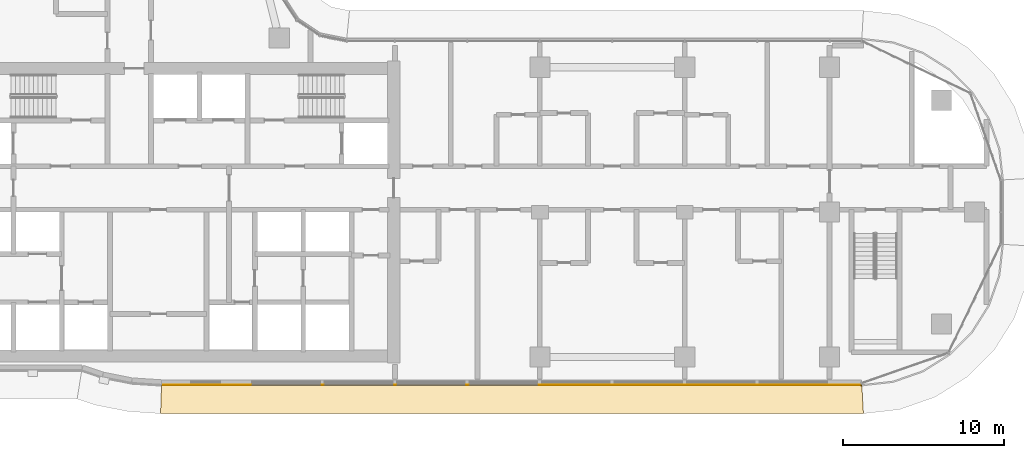
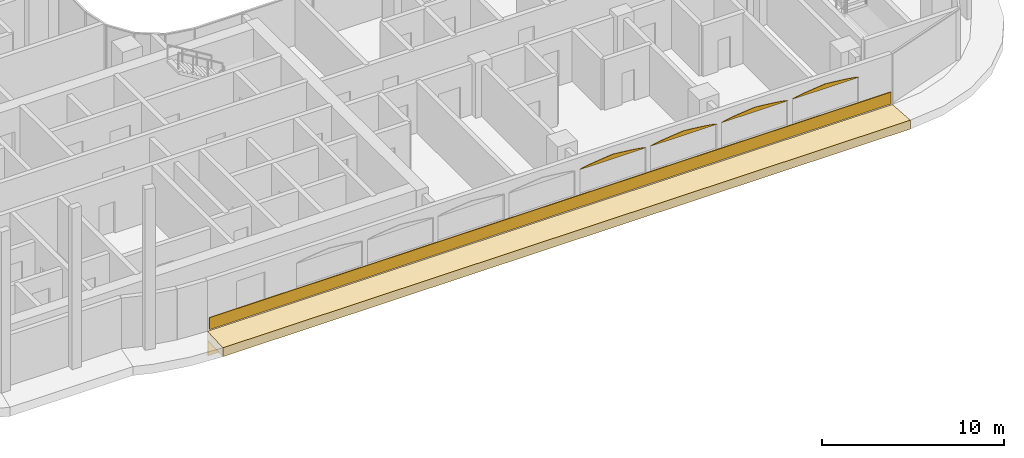
# One storey, part 21 of 25: 7 coverings.
"""IFC4 building model written with IfcOpenShell, lengths in metres."""

from ifc_helpers import new_model, si_unit, direction, frame, origin, origin_2d, place, context, subcontext, project, spatial, polyline, rectangle, outline, extrude, material, layer, layer_set, type_object, element, save


model = new_model("IFC4")

# Units and contexts
model_context = context("Model", 3, precision=1e-05, world=origin(), true_north=direction((0.0, 1.0)))
body_context = subcontext(model_context, "Body", "Model", "MODEL_VIEW")
ifc_project = project(units=[si_unit("LENGTHUNIT", "METRE"), si_unit("AREAUNIT", "SQUARE_METRE"), si_unit("VOLUMEUNIT", "CUBIC_METRE"), si_unit("PLANEANGLEUNIT", "RADIAN"), si_unit("MASSUNIT", "GRAM", prefix="KILO")], contexts=[model_context])

# Site, building, storey
site_placement = place(None, origin())
site = spatial("IfcSite", under=ifc_project, at=site_placement, CompositionType="ELEMENT")
building_placement = place(site_placement, origin())
building = spatial("IfcBuilding", under=site, at=building_placement, Name="Ogive Portal Towers", CompositionType="ELEMENT")
storey_placement = place(building_placement, frame((0.0, 0.0, 124.10009765625)))
storey = spatial("IfcBuildingStorey", under=building, at=storey_placement, Name="L30", CompositionType="ELEMENT", Elevation=124.10009765625)

# Coverings
ifc_material = material(Name="Limestone cladding on lightweight block wall", Category="masonry")
ifc_layer_1 = layer(ifc_material, 0.0400390625)
ifc_layer_set_1 = layer_set([ifc_layer_1], Name="LANCET HEAD STONE")
covering_type_1 = type_object("IfcCoveringType", Name="LANCET HEAD STONE", PredefinedType="CLADDING", material=ifc_layer_set_1)
for number, where, z_axis, x_axis, name in (
    (1, (67.64990234375, 19.784912109375, 2.599853515625), (0.0, 0.999955602034, 0.009423054701), (1.0, 0.0, 0.0), "Lancet head"),
    (2, (72.14990234375, 19.784912109375, 2.599853515625), (0.0, 0.999955602034, 0.009423054701), (1.0, 0.0, 0.0), "Lancet head"),
    (3, (76.64990234375, 19.784912109375, 2.599853515625), (0.0, 0.999955602034, 0.009423054701), (1.0, 0.0, 0.0), "Lancet head"),
    (4, (81.14990234375, 19.784912109375, 2.599853515625), (0.0, 0.999955602034, 0.009423054701), (1.0, 0.0, 0.0), "Lancet head"),
):
    element("IfcCovering", number, at=place(storey_placement, frame(where, z_axis=z_axis, x_axis=x_axis)), inside=storey, type_object=covering_type_1, Name=name, PredefinedType="CLADDING", context=body_context, shape_type="SweptSolid", body=[
        extrude(outline(polyline([(0.0, 0.0), (4.2001953125, 0.0), (4.107177734375, -0.037598287541017614), (3.9375, -0.07495474584684635), (3.7177734375, -0.11255303338786396), (3.45751953125, -0.15015362147934563), (3.162353515625, -0.1875077792347103), (2.836181640625, -0.22510836732619197), (2.481201171875, -0.2624625250815566), (2.10009765625, -0.30006311317303835), (1.718994140625, -0.2624625250815566), (1.364013671875, -0.22510836732619197), (1.037841796875, -0.1875077792347103), (0.74267578125, -0.15015362147934563), (0.482421875, -0.11255303338786396), (0.2626953125, -0.07495474584684635), (0.093017578125, -0.037598287541017614), (0.0, 0.0)])), origin(), (0.0, 0.0, -1.0), 0.0400390625),
    ])
ifc_layer_2 = layer(ifc_material, 0.050048828125)
ifc_layer_set_2 = layer_set([ifc_layer_2], Name="SCREEN PERFORATED STONE")
covering_type_2 = type_object("IfcCoveringType", Name="SCREEN PERFORATED STONE", PredefinedType="CLADDING", material=ifc_layer_set_2)
covering_1_placement = place(storey_placement, frame((65.748046875, 19.760009765625, 0.10009765625), z_axis=(0.0, 0.0, 1.0), x_axis=(1.0, 0.0, 0.0)))
element("IfcCovering", 5, at=covering_1_placement, inside=storey, type_object=covering_type_2, Name="Tracery screen", PredefinedType="CLADDING", context=body_context, shape_type="SweptSolid", body=[
    extrude(rectangle(XDim=43.276611328125, YDim=0.050048828125, at=origin_2d()), origin(), (0.0, 0.0, 1.0), 0.800048828125),
])
ifc_layer_3 = layer(ifc_material, 0.080078125)
ifc_layer_set_3 = layer_set([ifc_layer_3], Name="STONE SPANDREL 80")
covering_type_3 = type_object("IfcCoveringType", Name="STONE SPANDREL 80", PredefinedType="CLADDING", material=ifc_layer_set_3)
covering_2_placement = place(storey_placement, frame((0.0, 0.0, -1.60009765625)))
element("IfcCovering", 6, at=covering_2_placement, inside=storey, type_object=covering_type_3, Name="Stone spandrel A1-F05", PredefinedType="CLADDING", context=body_context, shape_type="SweptSolid", body=[
    extrude(outline(polyline([(44.0, 19.784912109375), (87.5, 19.784912109375), (87.50439453125, 19.705078125), (43.997314453125, 19.705078125), (44.0, 19.784912109375)])), origin(), (0.0, 0.0, 1.0), 1.0),
])
ifc_layer_4 = layer(ifc_material, 0.60009765625)
ifc_layer_set_4 = layer_set([ifc_layer_4], Name="SUNSHADE LIP 600")
covering_type_4 = type_object("IfcCoveringType", Name="SUNSHADE LIP 600", PredefinedType="CLADDING", material=ifc_layer_set_4)
covering_3_placement = place(storey_placement, frame((0.0, 0.0, -0.60009765625)))
element("IfcCovering", 7, at=covering_3_placement, inside=storey, type_object=covering_type_4, Name="Sunshade lip A1-F05", PredefinedType="CLADDING", context=body_context, shape_type="SweptSolid", body=[
    extrude(outline(polyline([(44.0, 19.784912109375), (87.5, 19.784912109375), (87.60107421875, 17.985107421875), (43.941162109375, 17.985107421875), (44.0, 19.784912109375)])), origin(), (0.0, 0.0, 1.0), 0.60009765625),
])

save(model, "model.ifc")
